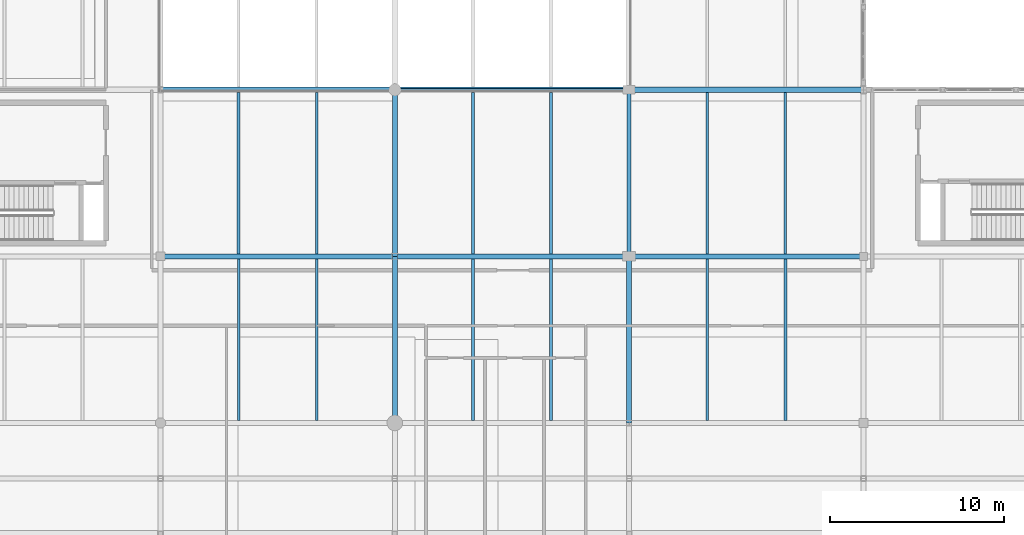
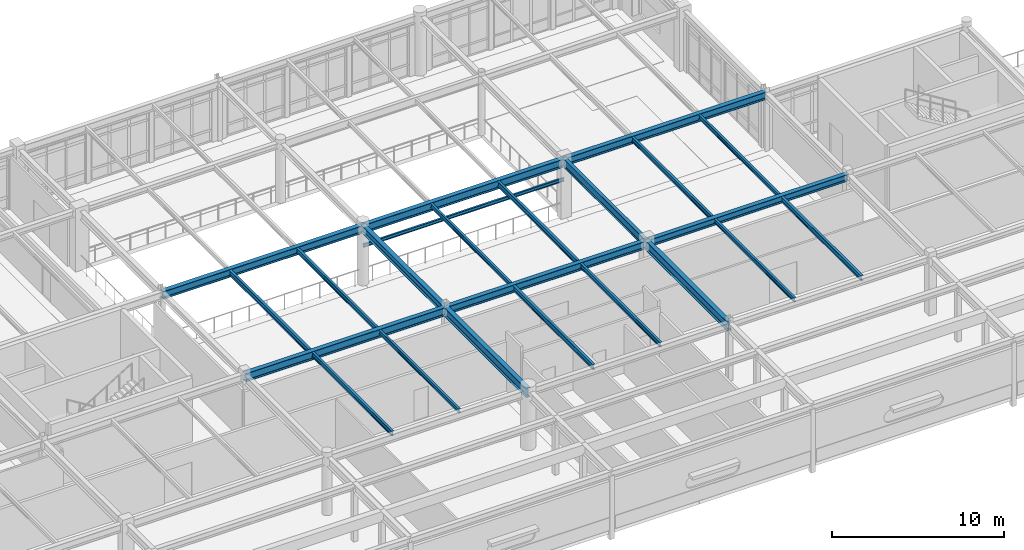
# One storey, part 18 of 61: 23 beams.
"""IFC4 building model written with IfcOpenShell, lengths in metres."""

from ifc_helpers import new_model, si_unit, direction, frame, origin, origin_2d, place, context, subcontext, project, spatial, i_section, extrude, material, material_profile, profile_set, type_object, element, save


model = new_model("IFC4")

# Units and contexts
model_context = context("Model", 3, precision=1e-05, world=origin(), true_north=direction((0.0, 1.0)))
body_context = subcontext(model_context, "Body", "Model", "MODEL_VIEW")
ifc_project = project(units=[si_unit("LENGTHUNIT", "METRE"), si_unit("AREAUNIT", "SQUARE_METRE"), si_unit("VOLUMEUNIT", "CUBIC_METRE"), si_unit("PLANEANGLEUNIT", "RADIAN"), si_unit("MASSUNIT", "GRAM", prefix="KILO")], contexts=[model_context])

# Site, building, storey
site_placement = place(None, origin())
site = spatial("IfcSite", under=ifc_project, at=site_placement, CompositionType="ELEMENT")
building_placement = place(site_placement, origin())
building = spatial("IfcBuilding", under=site, at=building_placement, Name="Fikremerkos Civic Library", CompositionType="ELEMENT")
storey_placement = place(building_placement, frame((0.0, 0.0, 14.39990234375)))
storey = spatial("IfcBuildingStorey", under=building, at=storey_placement, Name="L03", CompositionType="ELEMENT", Elevation=14.39990234375)

# Beams
ifc_material = material(Name="Steel S355", Category="steel")
ifc_material_profile_1 = material_profile(ifc_material, i_section(OverallWidth=0.169921875, OverallDepth=0.360107421875, WebThickness=0.008056640625, FlangeThickness=0.0126953125, FilletRadius=0.01806640625, at=origin_2d()), Name="IPE 360")
ifc_profile_set_1 = profile_set([ifc_material_profile_1], Name="Steel S355")
beam_type_1 = type_object("IfcBeamType", Name="Floor joist JS-09 IPE 360", PredefinedType="JOIST", material=ifc_profile_set_1)
for number, where, z_axis, x_axis, name in (
    (1, (64.199951171875, 21.75, 3.97998046875), (0.0, 1.0, 0.0), (-1.0, 0.0, 0.0), "Floor joist JS-09 L03 #550"),
    (2, (77.699951171875, 12.14990234375, 3.97998046875), (0.0, 1.0, 0.0), (-1.0, 0.0, 0.0), "Floor joist JS-09 L03 #556"),
    (3, (82.199951171875, 21.75, 3.97998046875), (0.0, 1.0, 0.0), (-1.0, 0.0, 0.0), "Floor joist JS-09 L03 #559"),
    (4, (95.699951171875, 12.14990234375, 3.97998046875), (0.0, 1.0, 0.0), (-1.0, 0.0, 0.0), "Floor joist JS-09 L03 #565"),
):
    element("IfcBeam", number, at=place(storey_placement, frame(where, z_axis=z_axis, x_axis=x_axis)), inside=storey, type_object=beam_type_1, Name=name, PredefinedType="JOIST", context=body_context, shape_type="SweptSolid", body=[
        extrude(i_section(OverallWidth=0.169921875, OverallDepth=0.360107421875, WebThickness=0.008056640625, FlangeThickness=0.0126953125, FilletRadius=0.01806640625, at=origin_2d()), origin(), (0.0, 0.0, 1.0), 9.300048828125),
    ])
ifc_material_profile_2 = material_profile(ifc_material, i_section(OverallWidth=0.159912109375, OverallDepth=0.330078125, WebThickness=0.007568359375, FlangeThickness=0.011474609375, FilletRadius=0.01806640625, at=origin_2d()), Name="IPE 330")
ifc_profile_set_2 = profile_set([ifc_material_profile_2], Name="Steel S355")
beam_type_2 = type_object("IfcBeamType", Name="Floor joist JS-10 IPE 330", PredefinedType="JOIST", material=ifc_profile_set_2)
for number, where, z_axis, x_axis, name in (
    (5, (64.199951171875, 12.14990234375, 3.9951171875), (0.0, 1.0, 0.0), (-1.0, 0.0, 0.0), "Floor joist JS-10 L03 #548"),
    (6, (68.699951171875, 21.75, 3.9951171875), (0.0, 1.0, 0.0), (-1.0, 0.0, 0.0), "Floor joist JS-10 L03 #551"),
    (7, (82.199951171875, 12.14990234375, 3.9951171875), (0.0, 1.0, 0.0), (-1.0, 0.0, 0.0), "Floor joist JS-10 L03 #557"),
    (8, (91.199951171875, 21.75, 3.9951171875), (0.0, 1.0, 0.0), (-1.0, 0.0, 0.0), "Floor joist JS-10 L03 #566"),
):
    element("IfcBeam", number, at=place(storey_placement, frame(where, z_axis=z_axis, x_axis=x_axis)), inside=storey, type_object=beam_type_2, Name=name, PredefinedType="JOIST", context=body_context, shape_type="SweptSolid", body=[
        extrude(i_section(OverallWidth=0.159912109375, OverallDepth=0.330078125, WebThickness=0.007568359375, FlangeThickness=0.011474609375, FilletRadius=0.01806640625, at=origin_2d()), origin(), (0.0, 0.0, 1.0), 9.300048828125),
    ])
ifc_material_profile_3 = material_profile(ifc_material, i_section(OverallWidth=0.14990234375, OverallDepth=0.300048828125, WebThickness=0.007080078125, FlangeThickness=0.0107421875, FilletRadius=0.014892578125, at=origin_2d()), Name="IPE 300")
ifc_profile_set_3 = profile_set([ifc_material_profile_3], Name="Steel S355")
beam_type_3 = type_object("IfcBeamType", Name="Floor joist JS-11 IPE 300", PredefinedType="JOIST", material=ifc_profile_set_3)
for number, where, z_axis, x_axis, name in (
    (9, (68.699951171875, 12.14990234375, 4.010009765625), (0.0, 1.0, 0.0), (-1.0, 0.0, 0.0), "Floor joist JS-11 L03 #549"),
    (10, (77.699951171875, 21.75, 4.010009765625), (0.0, 1.0, 0.0), (-1.0, 0.0, 0.0), "Floor joist JS-11 L03 #558"),
    (11, (91.199951171875, 12.14990234375, 4.010009765625), (0.0, 1.0, 0.0), (-1.0, 0.0, 0.0), "Floor joist JS-11 L03 #564"),
    (12, (95.699951171875, 21.75, 4.010009765625), (0.0, 1.0, 0.0), (-1.0, 0.0, 0.0), "Floor joist JS-11 L03 #567"),
):
    element("IfcBeam", number, at=place(storey_placement, frame(where, z_axis=z_axis, x_axis=x_axis)), inside=storey, type_object=beam_type_3, Name=name, PredefinedType="JOIST", context=body_context, shape_type="SweptSolid", body=[
        extrude(i_section(OverallWidth=0.14990234375, OverallDepth=0.300048828125, WebThickness=0.007080078125, FlangeThickness=0.0107421875, FilletRadius=0.014892578125, at=origin_2d()), origin(), (0.0, 0.0, 1.0), 9.300048828125),
    ])
ifc_material_profile_4 = material_profile(ifc_material, i_section(OverallWidth=0.1201171875, OverallDepth=0.239990234375, WebThickness=0.006103515625, FlangeThickness=0.009765625, FilletRadius=0.014892578125, at=origin_2d()), Name="IPE 240")
ifc_profile_set_4 = profile_set([ifc_material_profile_4], Name="Steel S355")
beam_type_4 = type_object("IfcBeamType", Name="Opening lintel LNT-04 IPE 240", PredefinedType="LINTEL", material=ifc_profile_set_4)
beam_1_placement = place(storey_placement, frame((73.199951171875, 31.199951171875, 2.6201171875), z_axis=(1.0, 0.0, 0.0), x_axis=(0.0, 1.0, 0.0)))
element("IfcBeam", 13, at=beam_1_placement, inside=storey, type_object=beam_type_4, Name="Interior portal lintel LNT-04 L03 #12", PredefinedType="LINTEL", context=body_context, shape_type="SweptSolid", body=[
    extrude(i_section(OverallWidth=0.1201171875, OverallDepth=0.239990234375, WebThickness=0.006103515625, FlangeThickness=0.009765625, FilletRadius=0.014892578125, at=origin_2d()), origin(), (0.0, 0.0, 1.0), 13.5),
])
ifc_material_profile_5 = material_profile(ifc_material, i_section(OverallWidth=0.300048828125, OverallDepth=0.64990234375, WebThickness=0.01611328125, FlangeThickness=0.031005859375, FilletRadius=0.027099609375, at=origin_2d()), Name="HEB 650")
ifc_profile_set_5 = profile_set([ifc_material_profile_5], Name="Steel S355")
beam_type_5 = type_object("IfcBeamType", Name="Primary girder BM-12 HEB 650", PredefinedType="BEAM", material=ifc_profile_set_5)
for number, where, z_axis, x_axis, name in (
    (14, (73.199951171875, 12.0, 3.835205078125), (0.0, 1.0, 0.0), (-1.0, 0.0, 0.0), "Primary girder BM-12 L03 grid 7"),
    (15, (86.699951171875, 12.0, 3.835205078125), (0.0, 1.0, 0.0), (-1.0, 0.0, 0.0), "Primary girder BM-12 L03 grid 8"),
):
    element("IfcBeam", number, at=place(storey_placement, frame(where, z_axis=z_axis, x_axis=x_axis)), inside=storey, type_object=beam_type_5, Name=name, PredefinedType="BEAM", context=body_context, shape_type="SweptSolid", body=[
        extrude(i_section(OverallWidth=0.300048828125, OverallDepth=0.64990234375, WebThickness=0.01611328125, FlangeThickness=0.031005859375, FilletRadius=0.027099609375, at=origin_2d()), origin(), (0.0, 0.0, 1.0), 9.60009765625),
    ])
ifc_material_profile_6 = material_profile(ifc_material, i_section(OverallWidth=0.300048828125, OverallDepth=0.550048828125, WebThickness=0.014892578125, FlangeThickness=0.029052734375, FilletRadius=0.027099609375, at=origin_2d()), Name="HEB 550")
ifc_profile_set_6 = profile_set([ifc_material_profile_6], Name="Steel S355")
beam_type_6 = type_object("IfcBeamType", Name="Primary girder BM-14 HEB 550", PredefinedType="BEAM", material=ifc_profile_set_6)
beam_2_placement = place(storey_placement, frame((59.699951171875, 31.199951171875, 3.885009765625), z_axis=(1.0, 0.0, 0.0), x_axis=(0.0, 1.0, 0.0)))
element("IfcBeam", 16, at=beam_2_placement, inside=storey, type_object=beam_type_6, Name="Primary girder BM-14 L03 grid G", PredefinedType="BEAM", context=body_context, shape_type="SweptSolid", body=[
    extrude(i_section(OverallWidth=0.300048828125, OverallDepth=0.550048828125, WebThickness=0.014892578125, FlangeThickness=0.029052734375, FilletRadius=0.027099609375, at=origin_2d()), origin(), (0.0, 0.0, 1.0), 13.5),
])
ifc_material_profile_7 = material_profile(ifc_material, i_section(OverallWidth=0.300048828125, OverallDepth=0.590087890625, WebThickness=0.012939453125, FlangeThickness=0.02490234375, FilletRadius=0.027099609375, at=origin_2d()), Name="HEA 600")
ifc_profile_set_7 = profile_set([ifc_material_profile_7], Name="Steel S355")
beam_type_7 = type_object("IfcBeamType", Name="Primary girder BM-15 HEA 600", PredefinedType="BEAM", material=ifc_profile_set_7)
for number, where, z_axis, x_axis, name in (
    (17, (59.699951171875, 21.60009765625, 3.864990234375), (1.0, 0.0, 0.0), (0.0, 1.0, 0.0), "Primary girder BM-15 L03 grid F"),
    (18, (73.199951171875, 31.199951171875, 3.864990234375), (1.0, 0.0, 0.0), (0.0, 1.0, 0.0), "Primary girder BM-15 L03 grid G"),
):
    element("IfcBeam", number, at=place(storey_placement, frame(where, z_axis=z_axis, x_axis=x_axis)), inside=storey, type_object=beam_type_7, Name=name, PredefinedType="BEAM", context=body_context, shape_type="SweptSolid", body=[
        extrude(i_section(OverallWidth=0.300048828125, OverallDepth=0.590087890625, WebThickness=0.012939453125, FlangeThickness=0.02490234375, FilletRadius=0.027099609375, at=origin_2d()), origin(), (0.0, 0.0, 1.0), 13.5),
    ])
ifc_material_profile_8 = material_profile(ifc_material, i_section(OverallWidth=0.300048828125, OverallDepth=0.5400390625, WebThickness=0.012451171875, FlangeThickness=0.02392578125, FilletRadius=0.027099609375, at=origin_2d()), Name="HEA 550")
ifc_profile_set_8 = profile_set([ifc_material_profile_8], Name="Steel S355")
beam_type_8 = type_object("IfcBeamType", Name="Primary girder BM-16 HEA 550", PredefinedType="BEAM", material=ifc_profile_set_8)
for number, where, z_axis, x_axis, name in (
    (19, (73.199951171875, 21.60009765625, 3.89013671875), (1.0, 0.0, 0.0), (0.0, 1.0, 0.0), "Primary girder BM-16 L03 grid F"),
    (20, (86.699951171875, 31.199951171875, 3.89013671875), (1.0, 0.0, 0.0), (0.0, 1.0, 0.0), "Primary girder BM-16 L03 grid G"),
):
    element("IfcBeam", number, at=place(storey_placement, frame(where, z_axis=z_axis, x_axis=x_axis)), inside=storey, type_object=beam_type_8, Name=name, PredefinedType="BEAM", context=body_context, shape_type="SweptSolid", body=[
        extrude(i_section(OverallWidth=0.300048828125, OverallDepth=0.5400390625, WebThickness=0.012451171875, FlangeThickness=0.02392578125, FilletRadius=0.027099609375, at=origin_2d()), origin(), (0.0, 0.0, 1.0), 13.5),
    ])
beam_3_placement = place(storey_placement, frame((73.199951171875, 21.60009765625, 3.89013671875), z_axis=(0.0, 1.0, 0.0), x_axis=(-1.0, 0.0, 0.0)))
element("IfcBeam", 21, at=beam_3_placement, inside=storey, type_object=beam_type_8, Name="Primary girder BM-16 L03 grid 7", PredefinedType="BEAM", context=body_context, shape_type="SweptSolid", body=[
    extrude(i_section(OverallWidth=0.300048828125, OverallDepth=0.5400390625, WebThickness=0.012451171875, FlangeThickness=0.02392578125, FilletRadius=0.027099609375, at=origin_2d()), origin(), (0.0, 0.0, 1.0), 9.599853515625),
])
ifc_material_profile_9 = material_profile(ifc_material, i_section(OverallWidth=0.300048828125, OverallDepth=0.489990234375, WebThickness=0.011962890625, FlangeThickness=0.02294921875, FilletRadius=0.027099609375, at=origin_2d()), Name="HEA 500")
ifc_profile_set_9 = profile_set([ifc_material_profile_9], Name="Steel S355")
beam_type_9 = type_object("IfcBeamType", Name="Primary girder BM-17 HEA 500", PredefinedType="BEAM", material=ifc_profile_set_9)
beam_4_placement = place(storey_placement, frame((86.699951171875, 21.60009765625, 3.9150390625), z_axis=(1.0, 0.0, 0.0), x_axis=(0.0, 1.0, 0.0)))
element("IfcBeam", 22, at=beam_4_placement, inside=storey, type_object=beam_type_9, Name="Primary girder BM-17 L03 grid F", PredefinedType="BEAM", context=body_context, shape_type="SweptSolid", body=[
    extrude(i_section(OverallWidth=0.300048828125, OverallDepth=0.489990234375, WebThickness=0.011962890625, FlangeThickness=0.02294921875, FilletRadius=0.027099609375, at=origin_2d()), origin(), (0.0, 0.0, 1.0), 13.5),
])
ifc_material_profile_10 = material_profile(ifc_material, i_section(OverallWidth=0.219970703125, OverallDepth=0.60009765625, WebThickness=0.011962890625, FlangeThickness=0.01904296875, FilletRadius=0.02392578125, at=origin_2d()), Name="IPE 600")
ifc_profile_set_10 = profile_set([ifc_material_profile_10], Name="Steel S355")
beam_type_10 = type_object("IfcBeamType", Name="Primary girder BM-20 IPE 600", PredefinedType="BEAM", material=ifc_profile_set_10)
beam_5_placement = place(storey_placement, frame((86.699951171875, 21.60009765625, 3.860107421875), z_axis=(0.0, 1.0, 0.0), x_axis=(-1.0, 0.0, 0.0)))
element("IfcBeam", 23, at=beam_5_placement, inside=storey, type_object=beam_type_10, Name="Primary girder BM-20 L03 grid 8", PredefinedType="BEAM", context=body_context, shape_type="SweptSolid", body=[
    extrude(i_section(OverallWidth=0.219970703125, OverallDepth=0.60009765625, WebThickness=0.011962890625, FlangeThickness=0.01904296875, FilletRadius=0.02392578125, at=origin_2d()), origin(), (0.0, 0.0, 1.0), 9.599853515625),
])

save(model, "model.ifc")
